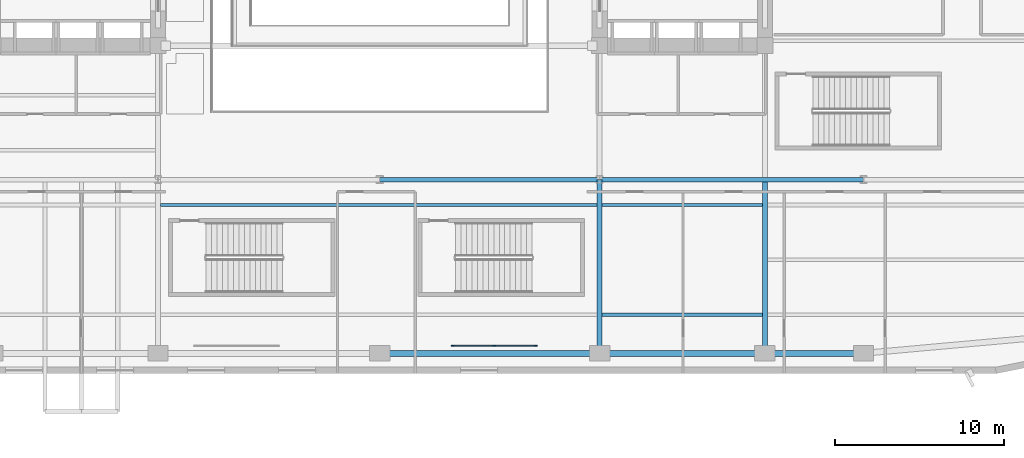
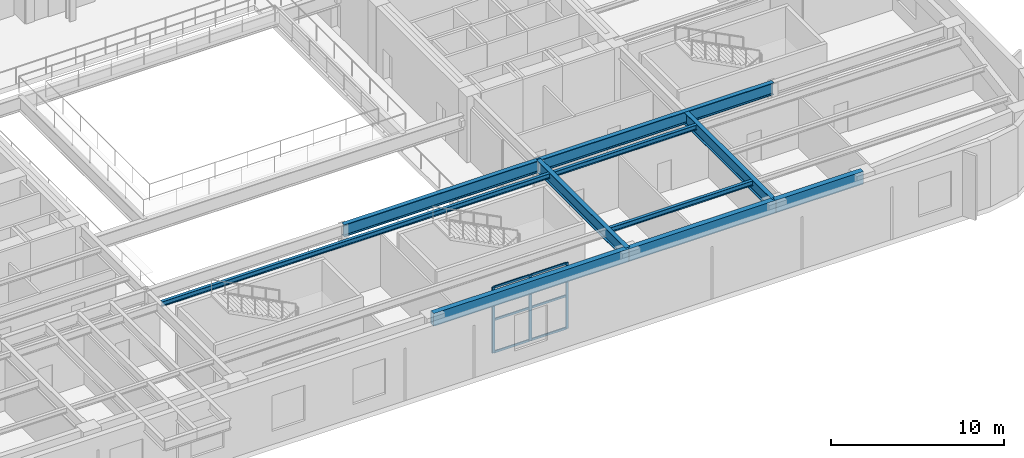
# One storey, part 4 of 24: 10 beams, 9 members, 1 element without a shape of its own.
"""IFC4 building model written with IfcOpenShell, lengths in metres."""

from ifc_helpers import new_model, si_unit, direction, frame, origin, origin_2d, place, context, subcontext, project, spatial, rectangle, hollow_rectangle, i_section, extrude, material, material_profile, profile_set, type_object, element, aggregate, save


model = new_model("IFC4")

# Units and contexts
model_context = context("Model", 3, precision=1e-05, world=origin(), true_north=direction((0.0, 1.0)))
body_context = subcontext(model_context, "Body", "Model", "MODEL_VIEW")
ifc_project = project(units=[si_unit("LENGTHUNIT", "METRE"), si_unit("AREAUNIT", "SQUARE_METRE"), si_unit("VOLUMEUNIT", "CUBIC_METRE"), si_unit("PLANEANGLEUNIT", "RADIAN"), si_unit("MASSUNIT", "GRAM", prefix="KILO")], contexts=[model_context])

# Site, building, storey
site_placement = place(None, origin())
site = spatial("IfcSite", under=ifc_project, at=site_placement, CompositionType="ELEMENT")
building_placement = place(site_placement, origin())
building = spatial("IfcBuilding", under=site, at=building_placement, Name="Kolvaren Arena Tower", CompositionType="ELEMENT")
storey_placement = place(building_placement, frame((0.0, 0.0, 23.0)))
storey = spatial("IfcBuildingStorey", under=building, at=storey_placement, Name="L04", CompositionType="ELEMENT", Elevation=23.0)

# Curtain wall, members
ifc_material_1 = material(Name="Anodised aluminium unitised curtain wall", Category="aluminium")
curtain_wall_type = type_object("IfcCurtainWallType", Name="CW-SYS-06", PredefinedType="USERDEFINED", material=ifc_material_1)
curtain_wall_placement = place(storey_placement, origin())
curtain_wall = element("IfcCurtainWall", 1, at=curtain_wall_placement, inside=storey, type_object=curtain_wall_type, Name="Wintergarden Glazed Curtain Wall (L04)", ObjectType="UNITISED CURTAIN WALL", PredefinedType="USERDEFINED")
ifc_material_2 = material(Name="Anodised aluminium 6063-T6", Category="aluminium")
ifc_material_profile_1 = material_profile(ifc_material_2, rectangle(XDim=0.080078125, YDim=0.179931640625, at=origin_2d()), Name="ALU-80x180")
ifc_profile_set_1 = profile_set([ifc_material_profile_1], Name="Anodised aluminium 6063-T6")
member_type_1 = type_object("IfcMemberType", Name="CWM-STD", PredefinedType="MULLION", material=ifc_profile_set_1)
member_1_placement = place(storey_placement, frame((41.840087890625, 1.64990234375, 0.0), z_axis=(0.0, 0.0, 1.0), x_axis=(0.0, 1.0, 0.0)))
member_1 = element("IfcMember", 2, at=member_1_placement, type_object=member_type_1, Name="CW6 mullion 1", PredefinedType="MULLION", context=body_context, shape_type="SweptSolid", body=[
    extrude(rectangle(XDim=0.080078125, YDim=0.179931640625, at=origin_2d()), origin(), (0.0, 0.0, 1.0), 4.64990234375),
])
member_2_placement = place(storey_placement, frame((44.300048828125, 1.64990234375, 0.0), z_axis=(0.0, 0.0, 1.0), x_axis=(0.0, 1.0, 0.0)))
member_2 = element("IfcMember", 3, at=member_2_placement, type_object=member_type_1, Name="CW6 mullion 2", PredefinedType="MULLION", context=body_context, shape_type="SweptSolid", body=[
    extrude(rectangle(XDim=0.080078125, YDim=0.179931640625, at=origin_2d()), origin(), (0.0, 0.0, 1.0), 4.64990234375),
])
member_3_placement = place(storey_placement, frame((46.760009765625, 1.64990234375, 0.0), z_axis=(0.0, 0.0, 1.0), x_axis=(0.0, 1.0, 0.0)))
member_3 = element("IfcMember", 4, at=member_3_placement, type_object=member_type_1, Name="CW6 mullion 3", PredefinedType="MULLION", context=body_context, shape_type="SweptSolid", body=[
    extrude(rectangle(XDim=0.080078125, YDim=0.179931640625, at=origin_2d()), origin(), (0.0, 0.0, 1.0), 4.64990234375),
])
ifc_material_profile_2 = material_profile(ifc_material_2, rectangle(XDim=0.080078125, YDim=0.14990234375, at=origin_2d()), Name="ALU-80x150")
ifc_profile_set_2 = profile_set([ifc_material_profile_2], Name="Anodised aluminium 6063-T6")
member_type_2 = type_object("IfcMemberType", Name="CWT-STD", PredefinedType="USERDEFINED", material=ifc_profile_set_2)
member_4_placement = place(storey_placement, frame((41.8798828125, 1.64990234375, 0.0400390625), z_axis=(1.0, 0.0, 0.0), x_axis=(0.0, 1.0, 0.0)))
member_4 = element("IfcMember", 5, at=member_4_placement, type_object=member_type_2, Name="CW6 transom 1.1", ObjectType="TRANSOM", PredefinedType="USERDEFINED", context=body_context, shape_type="SweptSolid", body=[
    extrude(rectangle(XDim=0.080078125, YDim=0.14990234375, at=origin_2d()), origin(), (0.0, 0.0, 1.0), 2.380126953125),
])
member_5_placement = place(storey_placement, frame((41.8798828125, 1.64990234375, 2.324951171875), z_axis=(1.0, 0.0, 0.0), x_axis=(0.0, 1.0, 0.0)))
member_5 = element("IfcMember", 6, at=member_5_placement, type_object=member_type_2, Name="CW6 transom 1.2", ObjectType="TRANSOM", PredefinedType="USERDEFINED", context=body_context, shape_type="SweptSolid", body=[
    extrude(rectangle(XDim=0.080078125, YDim=0.14990234375, at=origin_2d()), origin(), (0.0, 0.0, 1.0), 2.380126953125),
])
member_6_placement = place(storey_placement, frame((41.8798828125, 1.64990234375, 4.610107421875), z_axis=(1.0, 0.0, 0.0), x_axis=(0.0, 1.0, 0.0)))
member_6 = element("IfcMember", 7, at=member_6_placement, type_object=member_type_2, Name="CW6 transom 1.3", ObjectType="TRANSOM", PredefinedType="USERDEFINED", context=body_context, shape_type="SweptSolid", body=[
    extrude(rectangle(XDim=0.080078125, YDim=0.14990234375, at=origin_2d()), origin(), (0.0, 0.0, 1.0), 2.380126953125),
])
member_7_placement = place(storey_placement, frame((44.340087890625, 1.64990234375, 0.0400390625), z_axis=(1.0, 0.0, 0.0), x_axis=(0.0, 1.0, 0.0)))
member_7 = element("IfcMember", 8, at=member_7_placement, type_object=member_type_2, Name="CW6 transom 2.1", ObjectType="TRANSOM", PredefinedType="USERDEFINED", context=body_context, shape_type="SweptSolid", body=[
    extrude(rectangle(XDim=0.080078125, YDim=0.14990234375, at=origin_2d()), origin(), (0.0, 0.0, 1.0), 2.3798828125),
])
member_8_placement = place(storey_placement, frame((44.340087890625, 1.64990234375, 2.324951171875), z_axis=(1.0, 0.0, 0.0), x_axis=(0.0, 1.0, 0.0)))
member_8 = element("IfcMember", 9, at=member_8_placement, type_object=member_type_2, Name="CW6 transom 2.2", ObjectType="TRANSOM", PredefinedType="USERDEFINED", context=body_context, shape_type="SweptSolid", body=[
    extrude(rectangle(XDim=0.080078125, YDim=0.14990234375, at=origin_2d()), origin(), (0.0, 0.0, 1.0), 2.3798828125),
])
member_9_placement = place(storey_placement, frame((44.340087890625, 1.64990234375, 4.610107421875), z_axis=(1.0, 0.0, 0.0), x_axis=(0.0, 1.0, 0.0)))
member_9 = element("IfcMember", 10, at=member_9_placement, type_object=member_type_2, Name="CW6 transom 2.3", ObjectType="TRANSOM", PredefinedType="USERDEFINED", context=body_context, shape_type="SweptSolid", body=[
    extrude(rectangle(XDim=0.080078125, YDim=0.14990234375, at=origin_2d()), origin(), (0.0, 0.0, 1.0), 2.3798828125),
])
aggregate(curtain_wall, [member_1, member_2, member_3, member_4, member_5, member_6, member_7, member_8, member_9])

# Beams
ifc_material_3 = material(Name="Steel CSA G40.21 350W", Category="steel")
ifc_material_profile_3 = material_profile(ifc_material_3, i_section(OverallWidth=0.2919921875, OverallDepth=0.85498046875, WebThickness=0.02099609375, FlangeThickness=0.03564453125, FilletRadius=0.01806640625, at=origin_2d()), Name="W840x299")
ifc_profile_set_3 = profile_set([ifc_material_profile_3], Name="Steel CSA G40.21 350W")
beam_type_1 = type_object("IfcBeamType", Name="GIRD-P1", PredefinedType="BEAM", material=ifc_profile_set_3)
beam_1_placement = place(storey_placement, frame((37.5, 11.5, 4.222412109375), z_axis=(1.0, 0.0, 0.0), x_axis=(0.0, 1.0, 0.0)))
element("IfcBeam", 11, at=beam_1_placement, inside=storey, type_object=beam_type_1, Name="Primary Floor Girder (L04)", PredefinedType="BEAM", context=body_context, shape_type="SweptSolid", body=[
    extrude(i_section(OverallWidth=0.2919921875, OverallDepth=0.85498046875, WebThickness=0.02099609375, FlangeThickness=0.03564453125, FilletRadius=0.01806640625, at=origin_2d()), origin(), (0.0, 0.0, 1.0), 13.050048828125),
])
beam_2_placement = place(storey_placement, frame((50.550048828125, 11.5, 4.222412109375), z_axis=(1.0, 0.0, 0.0), x_axis=(0.0, 1.0, 0.0)))
element("IfcBeam", 12, at=beam_2_placement, inside=storey, type_object=beam_type_1, Name="Primary Floor Girder (L04)", PredefinedType="BEAM", context=body_context, shape_type="SweptSolid", body=[
    extrude(i_section(OverallWidth=0.2919921875, OverallDepth=0.85498046875, WebThickness=0.02099609375, FlangeThickness=0.03564453125, FilletRadius=0.01806640625, at=origin_2d()), origin(), (0.0, 0.0, 1.0), 15.64990234375),
])
beam_3_placement = place(storey_placement, frame((50.550048828125, 1.199951171875, 4.222412109375), z_axis=(0.0, 1.0, 0.0), x_axis=(-1.0, 0.0, 0.0)))
element("IfcBeam", 13, at=beam_3_placement, inside=storey, type_object=beam_type_1, Name="Primary Floor Girder (L04)", PredefinedType="BEAM", context=body_context, shape_type="SweptSolid", body=[
    extrude(i_section(OverallWidth=0.2919921875, OverallDepth=0.85498046875, WebThickness=0.02099609375, FlangeThickness=0.03564453125, FilletRadius=0.01806640625, at=origin_2d()), origin(), (0.0, 0.0, 1.0), 10.300048828125),
])
beam_4_placement = place(storey_placement, frame((60.35009765625, 1.199951171875, 4.222412109375), z_axis=(0.0, 1.0, 0.0), x_axis=(-1.0, 0.0, 0.0)))
element("IfcBeam", 14, at=beam_4_placement, inside=storey, type_object=beam_type_1, Name="Primary Floor Girder (L04)", PredefinedType="BEAM", context=body_context, shape_type="SweptSolid", body=[
    extrude(i_section(OverallWidth=0.2919921875, OverallDepth=0.85498046875, WebThickness=0.02099609375, FlangeThickness=0.03564453125, FilletRadius=0.01806640625, at=origin_2d()), origin(), (0.0, 0.0, 1.0), 10.154052734375),
])
ifc_material_profile_4 = material_profile(ifc_material_3, i_section(OverallWidth=0.202880859375, OverallDepth=0.346923828125, WebThickness=0.0078125, FlangeThickness=0.013427734375, FilletRadius=0.010986328125, at=origin_2d()), Name="W360x64")
ifc_profile_set_4 = profile_set([ifc_material_profile_4], Name="Steel CSA G40.21 350W")
beam_type_2 = type_object("IfcBeamType", Name="JOIST-01", PredefinedType="JOIST", material=ifc_profile_set_4)
beam_5_placement = place(storey_placement, frame((50.696044921875, 3.5, 4.4765625), z_axis=(1.0, 0.0, 0.0), x_axis=(0.0, 1.0, 0.0)))
element("IfcBeam", 15, at=beam_5_placement, inside=storey, type_object=beam_type_2, Name="Composite Floor Joist (L04)", PredefinedType="JOIST", context=body_context, shape_type="SweptSolid", body=[
    extrude(i_section(OverallWidth=0.202880859375, OverallDepth=0.346923828125, WebThickness=0.0078125, FlangeThickness=0.013427734375, FilletRadius=0.010986328125, at=origin_2d()), origin(), (0.0, 0.0, 1.0), 9.508056640625),
])
beam_6_placement = place(storey_placement, frame((24.49609375, 10.0, 4.4765625), z_axis=(1.0, 0.0, 0.0), x_axis=(0.0, 1.0, 0.0)))
element("IfcBeam", 16, at=beam_6_placement, inside=storey, type_object=beam_type_2, Name="Composite Floor Joist (L04)", PredefinedType="JOIST", context=body_context, shape_type="SweptSolid", body=[
    extrude(i_section(OverallWidth=0.202880859375, OverallDepth=0.346923828125, WebThickness=0.0078125, FlangeThickness=0.013427734375, FilletRadius=0.010986328125, at=origin_2d()), origin(), (0.0, 0.0, 1.0), 25.907958984375),
])
beam_7_placement = place(storey_placement, frame((50.696044921875, 10.0, 4.4765625), z_axis=(1.0, 0.0, 0.0), x_axis=(0.0, 1.0, 0.0)))
element("IfcBeam", 17, at=beam_7_placement, inside=storey, type_object=beam_type_2, Name="Composite Floor Joist (L04)", PredefinedType="JOIST", context=body_context, shape_type="SweptSolid", body=[
    extrude(i_section(OverallWidth=0.202880859375, OverallDepth=0.346923828125, WebThickness=0.0078125, FlangeThickness=0.013427734375, FilletRadius=0.010986328125, at=origin_2d()), origin(), (0.0, 0.0, 1.0), 9.508056640625),
])
ifc_material_4 = material(Name="Steel CSA G40.21 350WT", Category="steel")
ifc_material_profile_5 = material_profile(ifc_material_4, hollow_rectangle(XDim=0.35009765625, YDim=0.89990234375, WallThickness=0.02001953125, at=origin_2d()), Name="HSS 900x350x20")
ifc_profile_set_5 = profile_set([ifc_material_profile_5], Name="Steel CSA G40.21 350WT")
beam_type_3 = type_object("IfcBeamType", Name="SPAND-01", PredefinedType="SPANDREL", material=ifc_profile_set_5)
beam_8_placement = place(storey_placement, frame((37.5, 1.199951171875, 4.199951171875), z_axis=(1.0, 0.0, 0.0), x_axis=(0.0, 1.0, 0.0)))
element("IfcBeam", 18, at=beam_8_placement, inside=storey, type_object=beam_type_3, Name="Perimeter Spandrel Beam (L04)", PredefinedType="SPANDREL", context=body_context, shape_type="SweptSolid", body=[
    extrude(hollow_rectangle(XDim=0.35009765625, YDim=0.89990234375, WallThickness=0.02001953125, at=origin_2d()), origin(), (0.0, 0.0, 1.0), 13.050048828125),
])
beam_9_placement = place(storey_placement, frame((50.550048828125, 1.199951171875, 4.199951171875), z_axis=(1.0, 0.0, 0.0), x_axis=(0.0, 1.0, 0.0)))
element("IfcBeam", 19, at=beam_9_placement, inside=storey, type_object=beam_type_3, Name="Perimeter Spandrel Beam (L04)", PredefinedType="SPANDREL", context=body_context, shape_type="SweptSolid", body=[
    extrude(hollow_rectangle(XDim=0.35009765625, YDim=0.89990234375, WallThickness=0.02001953125, at=origin_2d()), origin(), (0.0, 0.0, 1.0), 9.800048828125),
])
beam_10_placement = place(storey_placement, frame((60.35009765625, 1.199951171875, 4.199951171875), z_axis=(1.0, 0.0, 0.0), x_axis=(0.0, 1.0, 0.0)))
element("IfcBeam", 20, at=beam_10_placement, inside=storey, type_object=beam_type_3, Name="Perimeter Spandrel Beam (L04)", PredefinedType="SPANDREL", context=body_context, shape_type="SweptSolid", body=[
    extrude(hollow_rectangle(XDim=0.35009765625, YDim=0.89990234375, WallThickness=0.02001953125, at=origin_2d()), origin(), (0.0, 0.0, 1.0), 5.849853515625),
])

save(model, "model.ifc")
